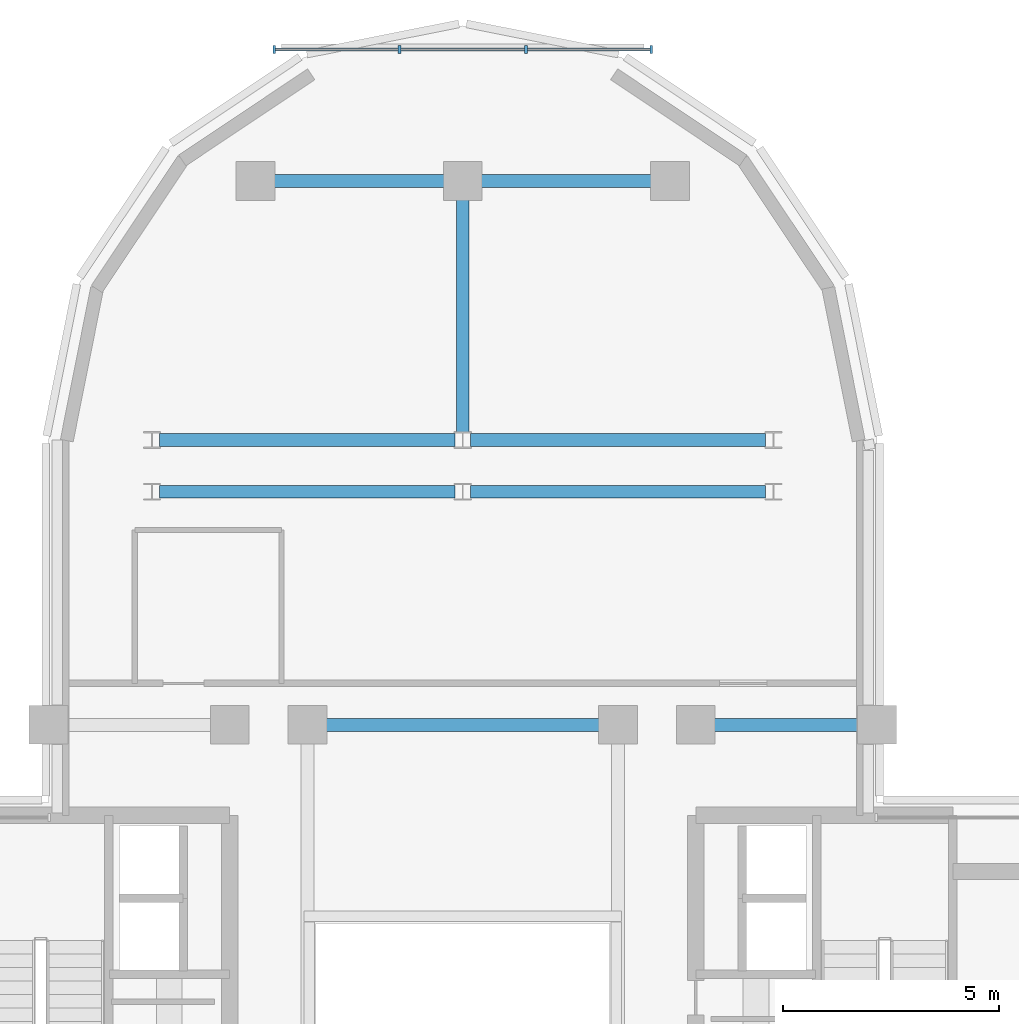
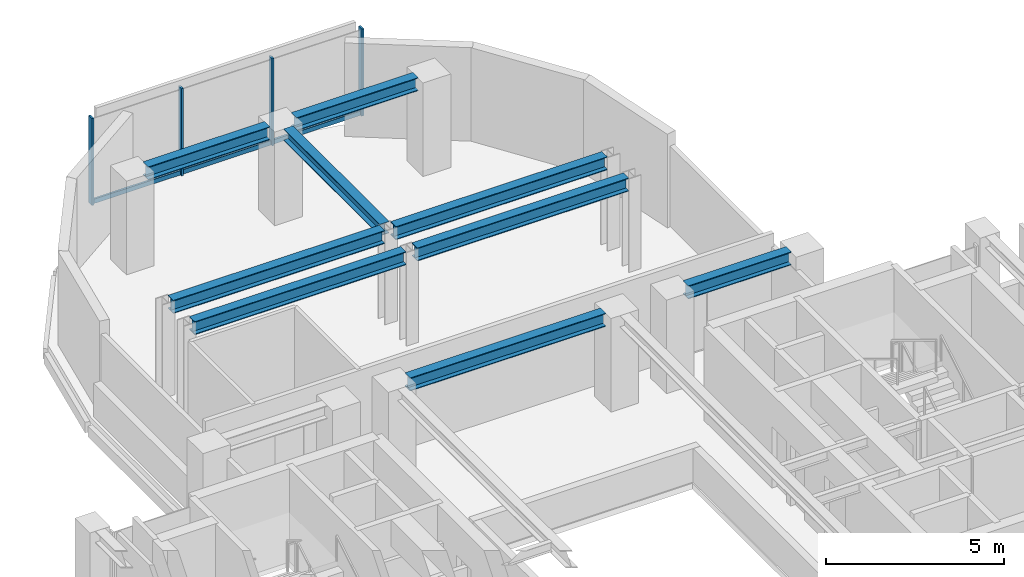
# One storey, part 4 of 11: 9 beams, 7 members, 1 element without a shape of its own.
"""IFC4 building model written with IfcOpenShell, lengths in metres."""

import ifcopenshell
import ifcopenshell.guid

model = None  # the IFC model being written
_history = None  # IfcOwnerHistory: only IFC2X3 demands one
_inside = {}  # id of a spatial element -> (the spatial element, [elements in it])
_under = {}  # id of a project, library or spatial element -> (it, [spatial elements below it])
_declared = {}  # id of a project -> (the project, [libraries it declares])
_typed = {}  # id of a type object -> (the type object, [elements of that type])
_made_of = {}  # id of a material, layer set ... -> (it, [elements and type objects made of it])


def new_model(schema):
    """Start an empty IFC model of exactly this schema.

    Asked for "IFC4X3", IfcOpenShell would pick the latest addendum, in which some entities
    have other attributes; the version numbers below select the first issue.
    IFC2X3 requires an IfcOwnerHistory on every rooted entity: one is made here for all.
    """
    global model, _history
    if schema == "IFC4X3":
        model = ifcopenshell.file(schema_version=(4, 3, 0, 0))
    else:
        model = ifcopenshell.file(schema=schema)
    _inside.clear()
    _under.clear()
    _declared.clear()
    _typed.clear()
    _made_of.clear()
    _history = None
    if model.schema == "IFC2X3":
        org = make("IfcOrganization", Name="unknown")
        user = make(
            "IfcPersonAndOrganization",
            ThePerson=make("IfcPerson", FamilyName="unknown"),
            TheOrganization=org,
        )
        app = make(
            "IfcApplication",
            ApplicationDeveloper=org,
            Version="unknown",
            ApplicationFullName="unknown",
            ApplicationIdentifier="unknown",
        )
        _history = make(
            "IfcOwnerHistory",
            OwningUser=user,
            OwningApplication=app,
            ChangeAction="ADDED",
            CreationDate=0,
        )
    return model


def make(cls, **values):
    """One entity of the class cls with the attributes given. An attribute that is None is left unset."""
    return model.create_entity(
        cls, **{name: value for name, value in values.items() if value is not None}
    )


def rooted(cls, **values):
    """An entity with a GlobalId (a new one), such as an element, a storey or a relation."""
    return make(cls, GlobalId=ifcopenshell.guid.new(), OwnerHistory=_history, **values)


def si_unit(unit_type, name, prefix=None):
    """IfcSIUnit, for example si_unit("LENGTHUNIT", "METRE", prefix="MILLI")."""
    return make("IfcSIUnit", UnitType=unit_type, Prefix=prefix, Name=name)


def assignment(units):
    """IfcUnitAssignment: the units of a project."""
    return None if units is None else make("IfcUnitAssignment", Units=units)


def point(xyz):
    """IfcCartesianPoint."""
    return None if xyz is None else make("IfcCartesianPoint", Coordinates=xyz)


def direction(xyz):
    """IfcDirection."""
    return None if xyz is None else make("IfcDirection", DirectionRatios=xyz)


def frame(location, z_axis=None, x_axis=None):
    """IfcAxis2Placement3D, a coordinate frame: its origin and axes. An axis left out is left unset."""
    return make(
        "IfcAxis2Placement3D",
        Location=point(location),
        Axis=direction(z_axis),
        RefDirection=direction(x_axis),
    )


def frame_2d(location, x_axis=None):
    """IfcAxis2Placement2D, a coordinate frame in the plane: its origin and x axis."""
    return make(
        "IfcAxis2Placement2D", Location=point(location), RefDirection=direction(x_axis)
    )


def origin():
    """The frame at (0, 0, 0) with its axes left unset."""
    return frame((0.0, 0.0, 0.0))


def origin_2d():
    """The frame at (0, 0) in the plane with its x axis left unset."""
    return frame_2d((0.0, 0.0))


def place(relative_to, where):
    """IfcLocalPlacement: puts the frame where relative to a parent placement (None: the world)."""
    return make(
        "IfcLocalPlacement", PlacementRelTo=relative_to, RelativePlacement=where
    )


def context(
    kind, dimensions, precision=None, world=None, true_north=None, identifier=None
):
    """IfcGeometricRepresentationContext, for example the 3D "Model" context."""
    return make(
        "IfcGeometricRepresentationContext",
        ContextIdentifier=identifier,
        ContextType=kind,
        CoordinateSpaceDimension=dimensions,
        Precision=precision,
        WorldCoordinateSystem=world,
        TrueNorth=true_north,
    )


def subcontext(parent, identifier, kind, view, scale=None):
    """IfcGeometricRepresentationSubContext, for example "Body" below "Model"."""
    return make(
        "IfcGeometricRepresentationSubContext",
        ContextIdentifier=identifier,
        ContextType=kind,
        ParentContext=parent,
        TargetScale=scale,
        TargetView=view,
    )


def project(units=None, contexts=None):
    """IfcProject with its units and contexts."""
    return rooted(
        "IfcProject",
        Name="project",
        RepresentationContexts=contexts,
        UnitsInContext=assignment(units),
    )


def spatial(cls, under=None, at=None, **own):
    """A site, building, storey or space (cls), placed at a placement, below another one or the project."""
    s = rooted(cls, ObjectPlacement=at, **own)
    if under is not None:
        _under.setdefault(under.id(), (under, []))[1].append(s)
    return s


def profile(cls, at=None, kind="AREA", **sizes):
    """A parametric profile (cls). Its sizes go by their IFC names, for example OverallWidth=200.0."""
    return make(cls, ProfileType=kind, Position=at, **sizes)


def rectangle(**sizes):
    """IfcRectangleProfileDef."""
    return profile("IfcRectangleProfileDef", **sizes)


def i_section(**sizes):
    """IfcIShapeProfileDef."""
    return profile("IfcIShapeProfileDef", **sizes)


def extrude(swept, where, along, depth):
    """IfcExtrudedAreaSolid: the profile swept, set in the frame where, extruded along a direction by depth."""
    return make(
        "IfcExtrudedAreaSolid",
        SweptArea=swept,
        Position=where,
        ExtrudedDirection=direction(along),
        Depth=depth,
    )


def shape(context_of_items, identifier, shape_type, items):
    """IfcShapeRepresentation: the items that make up one representation, for example the "Body"."""
    return make(
        "IfcShapeRepresentation",
        ContextOfItems=context_of_items,
        RepresentationIdentifier=identifier,
        RepresentationType=shape_type,
        Items=items,
    )


def source(mapping_origin, context_of_items, identifier, shape_type, items):
    """IfcRepresentationMap: a shape defined once, which mapped items show again and again."""
    return make(
        "IfcRepresentationMap",
        MappingOrigin=mapping_origin,
        MappedRepresentation=shape(context_of_items, identifier, shape_type, items),
    )


def transform(
    local_origin,
    x_axis=None,
    y_axis=None,
    z_axis=None,
    scale=None,
    scale2=None,
    scale3=None,
    uniform=True,
):
    """IfcCartesianTransformationOperator3D, or its non-uniform kind. x_axis, y_axis, z_axis: its Axis1, 2, 3."""
    if uniform:
        return make(
            "IfcCartesianTransformationOperator3D",
            Axis1=direction(x_axis),
            Axis2=direction(y_axis),
            LocalOrigin=point(local_origin),
            Scale=scale,
            Axis3=direction(z_axis),
        )
    return make(
        "IfcCartesianTransformationOperator3DnonUniform",
        Axis1=direction(x_axis),
        Axis2=direction(y_axis),
        LocalOrigin=point(local_origin),
        Scale=scale,
        Axis3=direction(z_axis),
        Scale2=scale2,
        Scale3=scale3,
    )


def mapped(mapping_source, mapping_target):
    """IfcMappedItem: shows the shape of a source again, moved by a transform."""
    return make(
        "IfcMappedItem", MappingSource=mapping_source, MappingTarget=mapping_target
    )


def material(Name=None, Category=None):
    """IfcMaterial."""
    return make("IfcMaterial", Name=Name, Category=Category)


def material_profile(
    of_material, cross_section, Name=None, Category=None, Priority=None
):
    """IfcMaterialProfile: a cross section and its material."""
    return make(
        "IfcMaterialProfile",
        Name=Name,
        Material=of_material,
        Profile=cross_section,
        Priority=Priority,
        Category=Category,
    )


def profile_set(profiles, Name=None, composite=None):
    """IfcMaterialProfileSet."""
    return make(
        "IfcMaterialProfileSet",
        Name=Name,
        MaterialProfiles=profiles,
        CompositeProfile=composite,
    )


def made_of(thing, what):
    """Note that an element or type object is made of a material, layer set ...; save() writes the relation."""
    if what is not None:
        _made_of.setdefault(what.id(), (what, []))[1].append(thing)
    return thing


def type_object(cls, material=None, **own):
    """A type object (cls), such as IfcWallType, which elements share."""
    return made_of(rooted(cls, **own), material)


def element(
    cls,
    number,
    at=None,
    inside=None,
    cuts=None,
    type_object=None,
    material=None,
    context=None,
    identifier="Body",
    shape_type=None,
    held_by="IfcProductDefinitionShape",
    body=None,
    shapes=None,
    **own,
):
    """One element of the class cls, such as IfcWall. Its Tag is "e" and its number.

    at: its placement. inside: the storey or other place that contains it. cuts: it is an
    opening in that element (IfcRelVoidsElement). A single representation is given by context,
    identifier, shape_type and body (its items); several are given by shapes. held_by: the class
    of the entity that holds the representations. save() writes the other relations.
    """
    e = rooted(cls, Tag="e%d" % number, ObjectPlacement=at, **own)
    if body is not None:
        shapes = [shape(context, identifier, shape_type, body)]
    if shapes is not None:
        e.Representation = make(held_by, Representations=shapes)
    if inside is not None:
        _inside.setdefault(inside.id(), (inside, []))[1].append(e)
    if cuts is not None:
        rooted(
            "IfcRelVoidsElement", RelatingBuildingElement=cuts, RelatedOpeningElement=e
        )
    if type_object is not None:
        _typed.setdefault(type_object.id(), (type_object, []))[1].append(e)
    return made_of(e, material)


def aggregate(whole, parts):
    """IfcRelAggregates: a whole, such as a stair, and the parts it consists of."""
    return rooted("IfcRelAggregates", RelatingObject=whole, RelatedObjects=parts)


def save(model, path):
    """Write the relations noted so far, then the file.

    IfcRelAggregates (storeys below a building ...), IfcRelContainedInSpatialStructure (elements
    in a storey), IfcRelDefinesByType, IfcRelAssociatesMaterial and IfcRelDeclares: one each for
    every whole, place, type object, material and project.
    """
    for whole, parts in _under.values():
        aggregate(whole, parts)
    for where, things in _inside.values():
        rooted(
            "IfcRelContainedInSpatialStructure",
            RelatedElements=things,
            RelatingStructure=where,
        )
    for kind, things in _typed.values():
        rooted("IfcRelDefinesByType", RelatedObjects=things, RelatingType=kind)
    for what, things in _made_of.values():
        rooted("IfcRelAssociatesMaterial", RelatedObjects=things, RelatingMaterial=what)
    for by, libraries in _declared.values():
        rooted("IfcRelDeclares", RelatingContext=by, RelatedDefinitions=libraries)
    model.write(path)


model = new_model("IFC4")

# Units and contexts
model_context = context("Model", 3, precision=1e-05, world=origin(), true_north=direction((0.0, 1.0)))
body_context = subcontext(model_context, "Body", "Model", "MODEL_VIEW")
ifc_project = project(units=[si_unit("LENGTHUNIT", "METRE"), si_unit("AREAUNIT", "SQUARE_METRE"), si_unit("VOLUMEUNIT", "CUBIC_METRE"), si_unit("PLANEANGLEUNIT", "RADIAN"), si_unit("MASSUNIT", "GRAM", prefix="KILO")], contexts=[model_context])

# Site, building, storey
site_placement = place(None, origin())
site = spatial("IfcSite", under=ifc_project, at=site_placement, CompositionType="ELEMENT")
building_placement = place(site_placement, origin())
building = spatial("IfcBuilding", under=site, at=building_placement, Name="Keilestroom Media Tower", CompositionType="ELEMENT")
storey_placement = place(building_placement, frame((0.0, 0.0, 163.800048828125)))
storey = spatial("IfcBuildingStorey", under=building, at=storey_placement, Name="L44", CompositionType="ELEMENT", Elevation=163.800048828125)

# Beams
ifc_material_1 = material(Name="Steel S355", Category="steel")
ifc_material_profile_1 = material_profile(ifc_material_1, i_section(OverallWidth=0.300048828125, OverallDepth=0.449951171875, WebThickness=0.011962890625, FlangeThickness=0.02587890625, at=origin_2d()), Name="HEB 450")
ifc_profile_set_1 = profile_set([ifc_material_profile_1], Name="Steel S355")
beam_type_1 = type_object("IfcBeamType", Name="Primary-Structural-Girder-HEB-450", PredefinedType="BEAM", material=ifc_profile_set_1)
shared_shape_1 = source(origin(), body_context, "Body", "SweptSolid", [
    extrude(i_section(OverallWidth=0.300048828125, OverallDepth=0.449951171875, WebThickness=0.011962890625, FlangeThickness=0.02587890625, at=origin_2d()), origin(), (0.0, 0.0, 1.0), 3.940185546875),
])
for number, where, z_axis, x_axis, name in (
    (1, (-4.3701171875, 21.60009765625, 2.974853515625), (1.0, 0.0, 0.0), (0.0, 1.0, 0.0), "L44 Beam BG-7 BM-L44-EW-029"),
    (2, (0.429931640625, 21.60009765625, 2.974853515625), (1.0, 0.0, 0.0), (0.0, 1.0, 0.0), "L44 Beam BG-7 BM-L44-EW-030"),
):
    element("IfcBeam", number, at=place(storey_placement, frame(where, z_axis=z_axis, x_axis=x_axis)), inside=storey, type_object=beam_type_1, Name=name, PredefinedType="BEAM", context=body_context, shape_type="MappedRepresentation", body=[
        mapped(shared_shape_1, transform((0.0, 0.0, 0.0), x_axis=(1.0, 0.0, 0.0), y_axis=(0.0, 1.0, 0.0), z_axis=(0.0, 0.0, 1.0), scale=1.0)),
    ])
shared_shape_2 = source(origin(), body_context, "Body", "SweptSolid", [
    extrude(i_section(OverallWidth=0.300048828125, OverallDepth=0.449951171875, WebThickness=0.011962890625, FlangeThickness=0.02587890625, at=origin_2d()), origin(), (0.0, 0.0, 1.0), 6.842041015625),
])
for number, where, z_axis, x_axis, name in (
    (3, (-7.02099609375, 14.39990234375, 2.974853515625), (1.0, 0.0, 0.0), (0.0, 1.0, 0.0), "L44 Beam BG-7 BM-L44-EW-025"),
    (4, (0.178955078125, 14.39990234375, 2.974853515625), (1.0, 0.0, 0.0), (0.0, 1.0, 0.0), "L44 Beam BG-7 BM-L44-EW-026"),
    (5, (-7.02099609375, 15.60009765625, 2.974853515625), (1.0, 0.0, 0.0), (0.0, 1.0, 0.0), "L44 Beam BG-7 BM-L44-EW-027"),
    (6, (0.178955078125, 15.60009765625, 2.974853515625), (1.0, 0.0, 0.0), (0.0, 1.0, 0.0), "L44 Beam BG-7 BM-L44-EW-028"),
):
    element("IfcBeam", number, at=place(storey_placement, frame(where, z_axis=z_axis, x_axis=x_axis)), inside=storey, type_object=beam_type_1, Name=name, PredefinedType="BEAM", context=body_context, shape_type="MappedRepresentation", body=[
        mapped(shared_shape_2, transform((0.0, 0.0, 0.0), x_axis=(1.0, 0.0, 0.0), y_axis=(0.0, 1.0, 0.0), z_axis=(0.0, 0.0, 1.0), scale=1.0)),
    ])
shared_shape_3 = source(origin(), body_context, "Body", "SweptSolid", [
    extrude(i_section(OverallWidth=0.300048828125, OverallDepth=0.449951171875, WebThickness=0.011962890625, FlangeThickness=0.02587890625, at=origin_2d()), origin(), (0.0, 0.0, 1.0), 3.33984375),
])
beam_1_placement = place(storey_placement, frame((5.830078125, 9.0, 2.974853515625), z_axis=(1.0, 0.0, 0.0), x_axis=(0.0, 1.0, 0.0)))
element("IfcBeam", 7, at=beam_1_placement, inside=storey, type_object=beam_type_1, Name="L44 Beam BG-7 BM-L44-EW-024", PredefinedType="BEAM", context=body_context, shape_type="MappedRepresentation", body=[
    mapped(shared_shape_3, transform((0.0, 0.0, 0.0), x_axis=(1.0, 0.0, 0.0), y_axis=(0.0, 1.0, 0.0), z_axis=(0.0, 0.0, 1.0), scale=1.0)),
])
shared_shape_4 = source(origin(), body_context, "Body", "SweptSolid", [
    extrude(i_section(OverallWidth=0.300048828125, OverallDepth=0.449951171875, WebThickness=0.011962890625, FlangeThickness=0.02587890625, at=origin_2d()), origin(), (0.0, 0.0, 1.0), 6.33984375),
])
beam_2_placement = place(storey_placement, frame((-3.169921875, 9.0, 2.974853515625), z_axis=(1.0, 0.0, 0.0), x_axis=(0.0, 1.0, 0.0)))
element("IfcBeam", 8, at=beam_2_placement, inside=storey, type_object=beam_type_1, Name="L44 Beam BG-7 BM-L44-EW-022", PredefinedType="BEAM", context=body_context, shape_type="MappedRepresentation", body=[
    mapped(shared_shape_4, transform((0.0, 0.0, 0.0), x_axis=(1.0, 0.0, 0.0), y_axis=(0.0, 1.0, 0.0), z_axis=(0.0, 0.0, 1.0), scale=1.0)),
])
ifc_material_profile_2 = material_profile(ifc_material_1, i_section(OverallWidth=0.300048828125, OverallDepth=0.39990234375, WebThickness=0.011474609375, FlangeThickness=0.02392578125, at=origin_2d()), Name="HEB 400")
ifc_profile_set_2 = profile_set([ifc_material_profile_2], Name="Steel S355")
beam_type_2 = type_object("IfcBeamType", Name="Primary-Structural-Girder-HEB-400", PredefinedType="BEAM", material=ifc_profile_set_2)
shared_shape_5 = source(origin(), body_context, "Body", "SweptSolid", [
    extrude(i_section(OverallWidth=0.300048828125, OverallDepth=0.39990234375, WebThickness=0.011474609375, FlangeThickness=0.02392578125, at=origin_2d()), origin(), (0.0, 0.0, 1.0), 5.396484375),
])
beam_3_placement = place(storey_placement, frame((0.0, 15.7734375, 3.0), z_axis=(0.0, 1.0, 0.0), x_axis=(-1.0, 0.0, 0.0)))
element("IfcBeam", 9, at=beam_3_placement, inside=storey, type_object=beam_type_2, Name="L44 Beam BG-8 BM-L44-NS-044", PredefinedType="BEAM", context=body_context, shape_type="MappedRepresentation", body=[
    mapped(shared_shape_5, transform((0.0, 0.0, 0.0), x_axis=(1.0, 0.0, 0.0), y_axis=(0.0, 1.0, 0.0), z_axis=(0.0, 0.0, 1.0), scale=1.0)),
])

# Curtain wall, members
ifc_material_2 = material(Name="Anodised Aluminium Alloy", Category="aluminium")
curtain_wall_type = type_object("IfcCurtainWallType", Name="Unitised-Curtain-Wall-CW-6", PredefinedType="NOTDEFINED", material=ifc_material_2)
curtain_wall_placement = place(storey_placement, origin())
curtain_wall = element("IfcCurtainWall", 10, at=curtain_wall_placement, inside=storey, type_object=curtain_wall_type, Name="L44 Curtain Wall CW-6 CW-L44-LN-1", PredefinedType="NOTDEFINED")
ifc_material_profile_3 = material_profile(ifc_material_2, rectangle(XDim=0.06494140625, YDim=0.179931640625, at=origin_2d()), Name="ALU MULLION 65x180")
ifc_profile_set_3 = profile_set([ifc_material_profile_3], Name="Anodised Aluminium Alloy")
member_type_1 = type_object("IfcMemberType", Name="Curtain-Wall-Mullion-CW-6", PredefinedType="MULLION", material=ifc_profile_set_3)
shared_shape_6 = source(origin(), body_context, "Body", "SweptSolid", [
    extrude(rectangle(XDim=0.06494140625, YDim=0.179931640625, at=origin_2d()), origin(), (0.0, 0.0, 1.0), 2.97998046875),
])
member_1_placement = place(storey_placement, frame((-4.367431640625, 24.64990234375, 0.0), z_axis=(0.0, 0.0, 1.0), x_axis=(1.0, 0.0, 0.0)))
member_1 = element("IfcMember", 11, at=member_1_placement, type_object=member_type_1, Name="CW-6 Mullion 00", PredefinedType="MULLION", context=body_context, shape_type="MappedRepresentation", body=[
    mapped(shared_shape_6, transform((0.0, 0.0, 0.0), x_axis=(1.0, 0.0, 0.0), y_axis=(0.0, 1.0, 0.0), z_axis=(0.0, 0.0, 1.0), scale=1.0)),
])
member_2_placement = place(storey_placement, frame((-1.466796875, 24.64990234375, 0.0), z_axis=(0.0, 0.0, 1.0), x_axis=(1.0, 0.0, 0.0)))
member_2 = element("IfcMember", 12, at=member_2_placement, type_object=member_type_1, Name="CW-6 Mullion 01", PredefinedType="MULLION", context=body_context, shape_type="MappedRepresentation", body=[
    mapped(shared_shape_6, transform((0.0, 0.0, 0.0), x_axis=(1.0, 0.0, 0.0), y_axis=(0.0, 1.0, 0.0), z_axis=(0.0, 0.0, 1.0), scale=1.0)),
])
member_3_placement = place(storey_placement, frame((1.466796875, 24.64990234375, 0.0), z_axis=(0.0, 0.0, 1.0), x_axis=(1.0, 0.0, 0.0)))
member_3 = element("IfcMember", 13, at=member_3_placement, type_object=member_type_1, Name="CW-6 Mullion 02", PredefinedType="MULLION", context=body_context, shape_type="MappedRepresentation", body=[
    mapped(shared_shape_6, transform((0.0, 0.0, 0.0), x_axis=(1.0, 0.0, 0.0), y_axis=(0.0, 1.0, 0.0), z_axis=(0.0, 0.0, 1.0), scale=1.0)),
])
member_4_placement = place(storey_placement, frame((4.367431640625, 24.64990234375, 0.0), z_axis=(0.0, 0.0, 1.0), x_axis=(1.0, 0.0, 0.0)))
member_4 = element("IfcMember", 14, at=member_4_placement, type_object=member_type_1, Name="CW-6 Mullion 03", PredefinedType="MULLION", context=body_context, shape_type="MappedRepresentation", body=[
    mapped(shared_shape_6, transform((0.0, 0.0, 0.0), x_axis=(1.0, 0.0, 0.0), y_axis=(0.0, 1.0, 0.0), z_axis=(0.0, 0.0, 1.0), scale=1.0)),
])
ifc_material_profile_4 = material_profile(ifc_material_2, rectangle(XDim=0.06494140625, YDim=0.14990234375, at=origin_2d()), Name="ALU TRANSOM 65x150")
ifc_profile_set_4 = profile_set([ifc_material_profile_4], Name="Anodised Aluminium Alloy")
member_type_2 = type_object("IfcMemberType", Name="Curtain-Wall-Transom-CW-6", PredefinedType="USERDEFINED", material=ifc_profile_set_4)
shared_shape_7 = source(origin(), body_context, "Body", "SweptSolid", [
    extrude(rectangle(XDim=0.06494140625, YDim=0.14990234375, at=origin_2d()), origin(), (0.0, 0.0, 1.0), 2.839599609375),
])
member_5_placement = place(storey_placement, frame((-4.3369140625, 24.64990234375, 0.074951171875), z_axis=(1.0, 0.0, 0.0), x_axis=(0.0, 1.0, 0.0)))
member_5 = element("IfcMember", 15, at=member_5_placement, type_object=member_type_2, Name="CW-6 Transom 00.1", ObjectType="TRANSOM", PredefinedType="USERDEFINED", context=body_context, shape_type="MappedRepresentation", body=[
    mapped(shared_shape_7, transform((0.0, 0.0, 0.0), x_axis=(1.0, 0.0, 0.0), y_axis=(0.0, 1.0, 0.0), z_axis=(0.0, 0.0, 1.0), scale=1.0)),
])
member_6_placement = place(storey_placement, frame((1.497314453125, 24.64990234375, 0.074951171875), z_axis=(1.0, 0.0, 0.0), x_axis=(0.0, 1.0, 0.0)))
member_6 = element("IfcMember", 16, at=member_6_placement, type_object=member_type_2, Name="CW-6 Transom 02.1", ObjectType="TRANSOM", PredefinedType="USERDEFINED", context=body_context, shape_type="MappedRepresentation", body=[
    mapped(shared_shape_7, transform((0.0, 0.0, 0.0), x_axis=(1.0, 0.0, 0.0), y_axis=(0.0, 1.0, 0.0), z_axis=(0.0, 0.0, 1.0), scale=1.0)),
])
shared_shape_8 = source(origin(), body_context, "Body", "SweptSolid", [
    extrude(rectangle(XDim=0.06494140625, YDim=0.14990234375, at=origin_2d()), origin(), (0.0, 0.0, 1.0), 2.87255859375),
])
member_7_placement = place(storey_placement, frame((-1.436279296875, 24.64990234375, 0.074951171875), z_axis=(1.0, 0.0, 0.0), x_axis=(0.0, 1.0, 0.0)))
member_7 = element("IfcMember", 17, at=member_7_placement, type_object=member_type_2, Name="CW-6 Transom 01.1", ObjectType="TRANSOM", PredefinedType="USERDEFINED", context=body_context, shape_type="MappedRepresentation", body=[
    mapped(shared_shape_8, transform((0.0, 0.0, 0.0), x_axis=(1.0, 0.0, 0.0), y_axis=(0.0, 1.0, 0.0), z_axis=(0.0, 0.0, 1.0), scale=1.0)),
])
aggregate(curtain_wall, [member_1, member_2, member_3, member_4, member_5, member_7, member_6])

save(model, "model.ifc")
